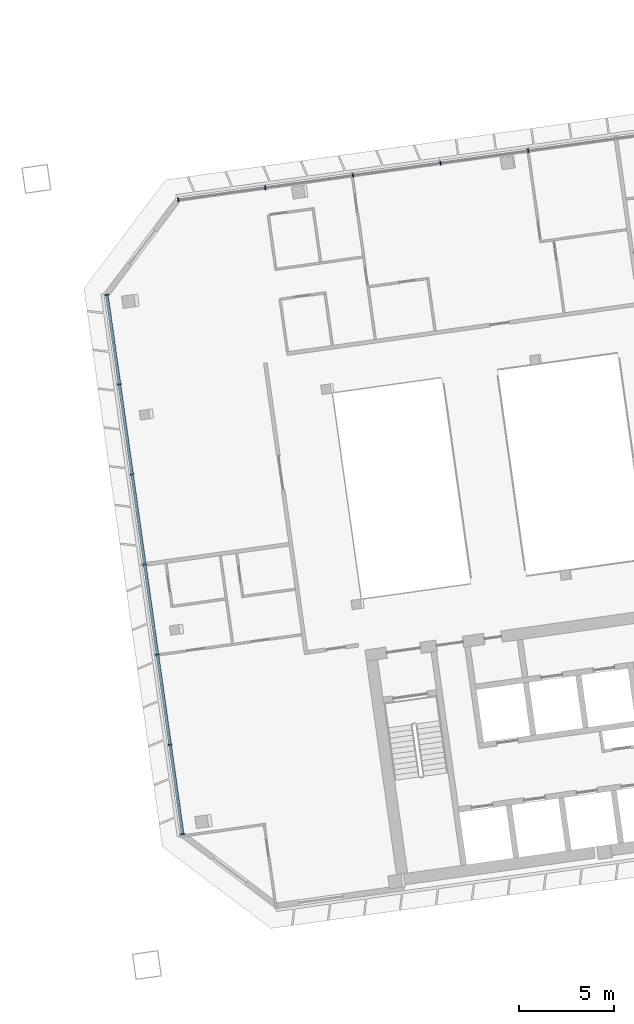
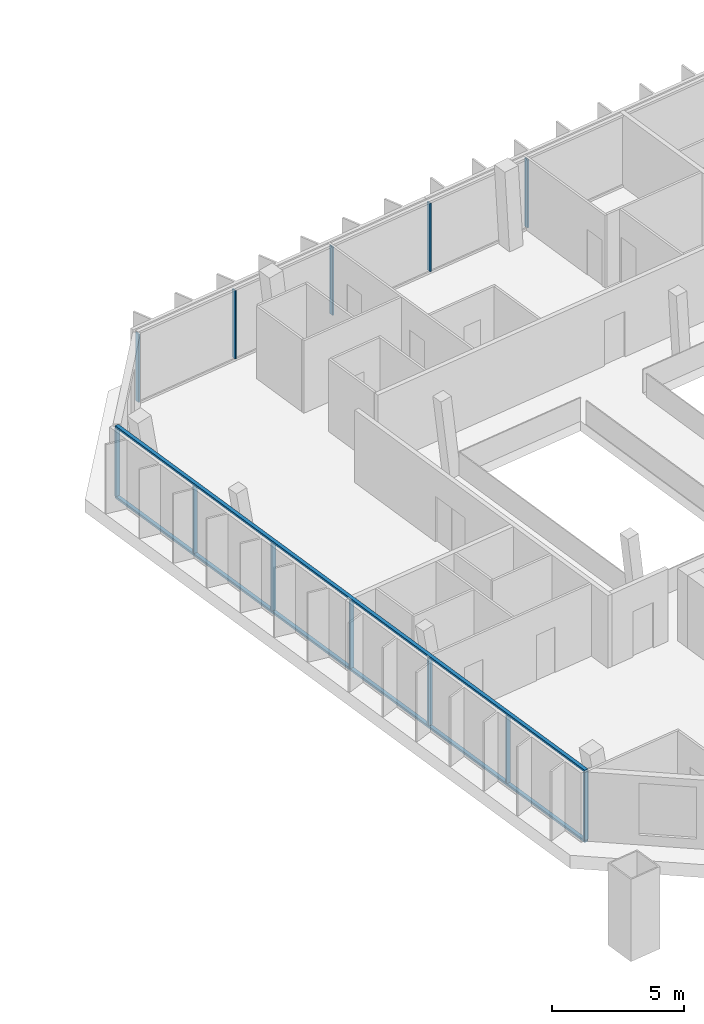
# One storey, part 7 of 20: 14 members, 2 elements without a shape of their own.
"""IFC4 building model written with IfcOpenShell, lengths in metres."""

from ifc_helpers import new_model, si_unit, direction, frame, origin, origin_2d, place, context, subcontext, project, spatial, rectangle, extrude, material, material_profile, profile_set, type_object, element, aggregate, save


model = new_model("IFC4")

# Units and contexts
model_context = context("Model", 3, precision=1e-05, world=origin(), true_north=direction((0.0, 1.0)))
body_context = subcontext(model_context, "Body", "Model", "MODEL_VIEW")
ifc_project = project(units=[si_unit("LENGTHUNIT", "METRE"), si_unit("AREAUNIT", "SQUARE_METRE"), si_unit("VOLUMEUNIT", "CUBIC_METRE"), si_unit("PLANEANGLEUNIT", "RADIAN"), si_unit("MASSUNIT", "GRAM", prefix="KILO")], contexts=[model_context])

# Site, building, storey
site_placement = place(None, origin())
site = spatial("IfcSite", under=ifc_project, at=site_placement, CompositionType="ELEMENT")
building_placement = place(site_placement, origin())
building = spatial("IfcBuilding", under=site, at=building_placement, Name="Mirante Cascada Hotel Towers", CompositionType="ELEMENT")
storey_placement = place(building_placement, frame((0.0, 0.0, 224.2)))
storey = spatial("IfcBuildingStorey", under=building, at=storey_placement, Name="L53", CompositionType="ELEMENT", Elevation=224.2)

# Curtain wall, members
ifc_material_1 = material(Name="Aluminium mullion and transom frame with clear laminated glass", Category="aluminium")
curtain_wall_type_1 = type_object("IfcCurtainWallType", Name="Ribbon curtain wall ECW1", PredefinedType="NOTDEFINED", material=ifc_material_1)
curtain_wall_1_placement = place(storey_placement, origin())
curtain_wall_1 = element("IfcCurtainWall", 1, at=curtain_wall_1_placement, inside=storey, type_object=curtain_wall_type_1, Name="Front ribbon wall T2 L53", PredefinedType="NOTDEFINED")
ifc_material_2 = material(Name="Anodised aluminium extrusion", Category="aluminium")
ifc_material_profile_1 = material_profile(ifc_material_2, rectangle(XDim=0.2, YDim=0.065, at=origin_2d()), Name="ECW1 MULLION 65x200")
ifc_profile_set_1 = profile_set([ifc_material_profile_1], Name="Anodised aluminium extrusion")
member_type_1 = type_object("IfcMemberType", Name="ECW1 mullion 65x200", PredefinedType="MULLION", material=ifc_profile_set_1)
member_1_placement = place(storey_placement, frame((44.2433, 19.037, 0.1), z_axis=(0.0, 0.0, 1.0), x_axis=(0.1391731, -0.9902681, 0.0)))
member_1 = element("IfcMember", 2, at=member_1_placement, type_object=member_type_1, Name="ECW1 mullion 6", PredefinedType="MULLION", context=body_context, shape_type="SweptSolid", body=[
    extrude(rectangle(XDim=0.2, YDim=0.065, at=origin_2d()), origin(), (0.0, 0.0, 1.0), 3.15),
])
member_2_placement = place(storey_placement, frame((39.6078, 18.3855, 0.1), z_axis=(0.0, 0.0, 1.0), x_axis=(0.1391731, -0.9902681, 0.0)))
member_2 = element("IfcMember", 3, at=member_2_placement, type_object=member_type_1, Name="ECW1 mullion 7", PredefinedType="MULLION", context=body_context, shape_type="SweptSolid", body=[
    extrude(rectangle(XDim=0.2, YDim=0.065, at=origin_2d()), origin(), (0.0, 0.0, 1.0), 3.15),
])
member_3_placement = place(storey_placement, frame((34.9722, 17.7341, 0.1), z_axis=(0.0, 0.0, 1.0), x_axis=(0.1391731, -0.9902681, 0.0)))
member_3 = element("IfcMember", 4, at=member_3_placement, type_object=member_type_1, Name="ECW1 mullion 8", PredefinedType="MULLION", context=body_context, shape_type="SweptSolid", body=[
    extrude(rectangle(XDim=0.2, YDim=0.065, at=origin_2d()), origin(), (0.0, 0.0, 1.0), 3.15),
])
member_4_placement = place(storey_placement, frame((30.3367, 17.0826, 0.1), z_axis=(0.0, 0.0, 1.0), x_axis=(0.1391731, -0.9902681, 0.0)))
member_4 = element("IfcMember", 5, at=member_4_placement, type_object=member_type_1, Name="ECW1 mullion 9", PredefinedType="MULLION", context=body_context, shape_type="SweptSolid", body=[
    extrude(rectangle(XDim=0.2, YDim=0.065, at=origin_2d()), origin(), (0.0, 0.0, 1.0), 3.15),
])
member_5_placement = place(storey_placement, frame((25.7334, 16.4356, 0.1), z_axis=(0.0, 0.0, 1.0), x_axis=(0.1391731, -0.9902681, 0.0)))
member_5 = element("IfcMember", 6, at=member_5_placement, type_object=member_type_1, Name="ECW1 mullion 10", PredefinedType="MULLION", context=body_context, shape_type="SweptSolid", body=[
    extrude(rectangle(XDim=0.2, YDim=0.065, at=origin_2d()), origin(), (0.0, 0.0, 1.0), 3.15),
])
aggregate(curtain_wall_1, [member_1, member_2, member_3, member_4, member_5])

ifc_material_3 = material(Name="Aluminium mullion and transom frame with clear laminated glass", Category="aluminium")
curtain_wall_type_2 = type_object("IfcCurtainWallType", Name="End ribbon curtain wall ECW2", PredefinedType="NOTDEFINED", material=ifc_material_3)
curtain_wall_2_placement = place(storey_placement, origin())
curtain_wall_2 = element("IfcCurtainWall", 7, at=curtain_wall_2_placement, inside=storey, type_object=curtain_wall_type_2, Name="Inner end wall T2 L53", PredefinedType="NOTDEFINED")
ifc_material_4 = material(Name="Anodised aluminium extrusion", Category="aluminium")
ifc_material_profile_2 = material_profile(ifc_material_4, rectangle(XDim=0.2, YDim=0.065, at=origin_2d()), Name="ECW2 MULLION 65x200")
ifc_profile_set_2 = profile_set([ifc_material_profile_2], Name="Anodised aluminium extrusion")
member_type_2 = type_object("IfcMemberType", Name="ECW2 mullion 65x200", PredefinedType="MULLION", material=ifc_profile_set_2)
member_6_placement = place(storey_placement, frame((21.9506, 11.4157, 0.1), z_axis=(0.0, 0.0, 1.0), x_axis=(0.9902681, 0.1391731, 0.0)))
member_6 = element("IfcMember", 8, at=member_6_placement, type_object=member_type_2, Name="ECW2 mullion 1", PredefinedType="MULLION", context=body_context, shape_type="SweptSolid", body=[
    extrude(rectangle(XDim=0.2, YDim=0.065, at=origin_2d()), origin(), (0.0, 0.0, 1.0), 3.15),
])
member_7_placement = place(storey_placement, frame((22.6158, 6.6821, 0.1), z_axis=(0.0, 0.0, 1.0), x_axis=(0.9902681, 0.1391731, 0.0)))
member_7 = element("IfcMember", 9, at=member_7_placement, type_object=member_type_2, Name="ECW2 mullion 2", PredefinedType="MULLION", context=body_context, shape_type="SweptSolid", body=[
    extrude(rectangle(XDim=0.2, YDim=0.065, at=origin_2d()), origin(), (0.0, 0.0, 1.0), 3.15),
])
member_8_placement = place(storey_placement, frame((23.2856, 1.9163, 0.1), z_axis=(0.0, 0.0, 1.0), x_axis=(0.9902681, 0.1391731, 0.0)))
member_8 = element("IfcMember", 10, at=member_8_placement, type_object=member_type_2, Name="ECW2 mullion 3", PredefinedType="MULLION", context=body_context, shape_type="SweptSolid", body=[
    extrude(rectangle(XDim=0.2, YDim=0.065, at=origin_2d()), origin(), (0.0, 0.0, 1.0), 3.15),
])
member_9_placement = place(storey_placement, frame((23.9554, -2.8495, 0.1), z_axis=(0.0, 0.0, 1.0), x_axis=(0.9902681, 0.1391731, 0.0)))
member_9 = element("IfcMember", 11, at=member_9_placement, type_object=member_type_2, Name="ECW2 mullion 4", PredefinedType="MULLION", context=body_context, shape_type="SweptSolid", body=[
    extrude(rectangle(XDim=0.2, YDim=0.065, at=origin_2d()), origin(), (0.0, 0.0, 1.0), 3.15),
])
member_10_placement = place(storey_placement, frame((24.6252, -7.6153, 0.1), z_axis=(0.0, 0.0, 1.0), x_axis=(0.9902681, 0.1391731, 0.0)))
member_10 = element("IfcMember", 12, at=member_10_placement, type_object=member_type_2, Name="ECW2 mullion 5", PredefinedType="MULLION", context=body_context, shape_type="SweptSolid", body=[
    extrude(rectangle(XDim=0.2, YDim=0.065, at=origin_2d()), origin(), (0.0, 0.0, 1.0), 3.15),
])
member_11_placement = place(storey_placement, frame((25.295, -12.3811, 0.1), z_axis=(0.0, 0.0, 1.0), x_axis=(0.9902681, 0.1391731, 0.0)))
member_11 = element("IfcMember", 13, at=member_11_placement, type_object=member_type_2, Name="ECW2 mullion 6", PredefinedType="MULLION", context=body_context, shape_type="SweptSolid", body=[
    extrude(rectangle(XDim=0.2, YDim=0.065, at=origin_2d()), origin(), (0.0, 0.0, 1.0), 3.15),
])
member_12_placement = place(storey_placement, frame((25.9602, -17.1147, 0.1), z_axis=(0.0, 0.0, 1.0), x_axis=(0.9902681, 0.1391731, 0.0)))
member_12 = element("IfcMember", 14, at=member_12_placement, type_object=member_type_2, Name="ECW2 mullion 7", PredefinedType="MULLION", context=body_context, shape_type="SweptSolid", body=[
    extrude(rectangle(XDim=0.2, YDim=0.065, at=origin_2d()), origin(), (0.0, 0.0, 1.0), 3.15),
])
ifc_material_5 = material(Name="Anodised aluminium extrusion", Category="aluminium")
ifc_material_profile_3 = material_profile(ifc_material_5, rectangle(XDim=0.16, YDim=0.1, at=origin_2d()), Name="ECW2 TRANSOM 100x160")
ifc_profile_set_3 = profile_set([ifc_material_profile_3], Name="Anodised aluminium extrusion")
member_type_3 = type_object("IfcMemberType", Name="ECW2 transom 100x160", PredefinedType="USERDEFINED", material=ifc_profile_set_3)
member_13_placement = place(storey_placement, frame((21.946, 11.4478, 0.05), z_axis=(0.1391757, -0.9902677, 0.0), x_axis=(0.9902677, 0.1391757, 0.0)))
member_13 = element("IfcMember", 15, at=member_13_placement, type_object=member_type_3, Name="ECW2 sill transom", ObjectType="TRANSOM", PredefinedType="USERDEFINED", context=body_context, shape_type="SweptSolid", body=[
    extrude(rectangle(XDim=0.16, YDim=0.1, at=origin_2d()), origin(), (0.0, 0.0, 1.0), 28.8757),
])
member_14_placement = place(storey_placement, frame((21.946, 11.4478, 3.3), z_axis=(0.1391757, -0.9902677, 0.0), x_axis=(0.9902677, 0.1391757, 0.0)))
member_14 = element("IfcMember", 16, at=member_14_placement, type_object=member_type_3, Name="ECW2 head transom", ObjectType="TRANSOM", PredefinedType="USERDEFINED", context=body_context, shape_type="SweptSolid", body=[
    extrude(rectangle(XDim=0.16, YDim=0.1, at=origin_2d()), origin(), (0.0, 0.0, 1.0), 28.8757),
])
aggregate(curtain_wall_2, [member_13, member_14, member_6, member_7, member_8, member_9, member_10, member_11, member_12])

save(model, "model.ifc")
